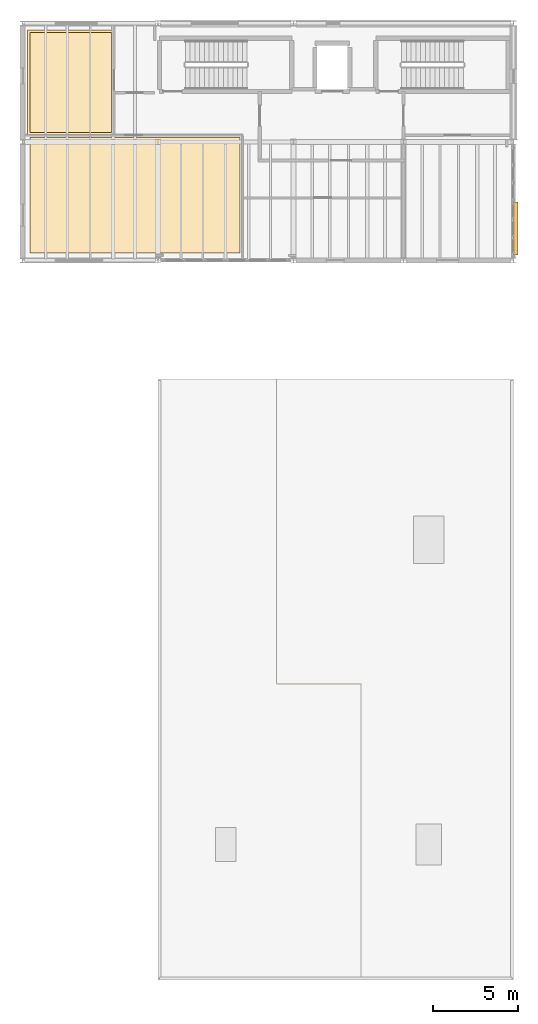
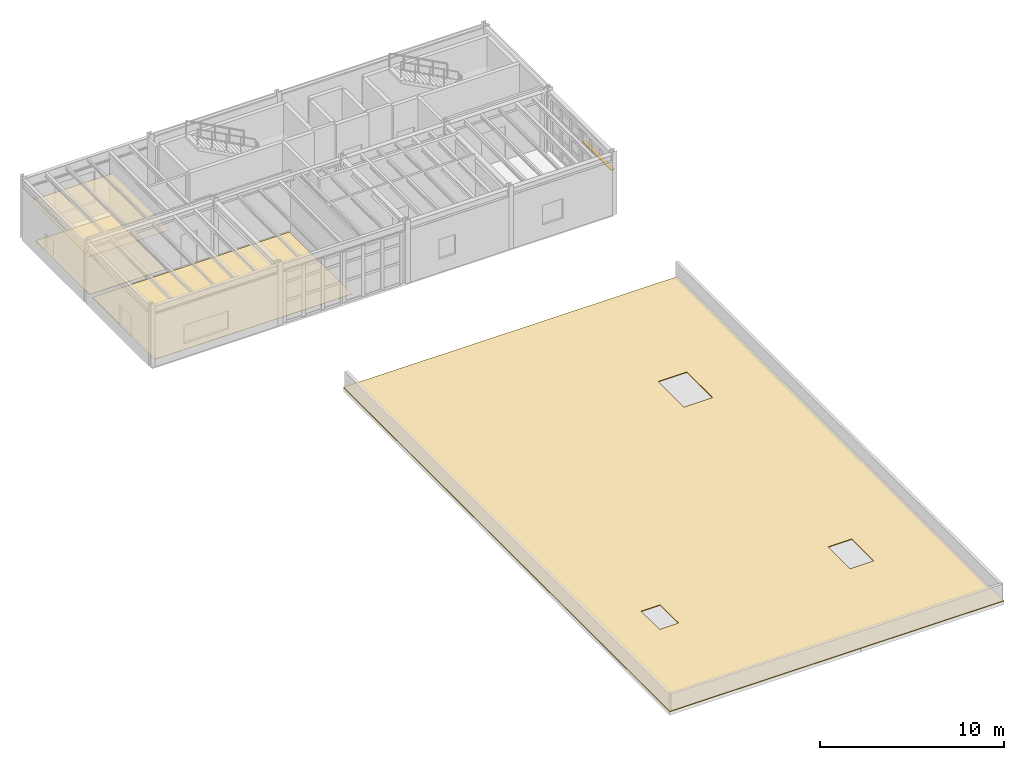
# One storey, part 10 of 11: 4 coverings, 1 shading device.
"""IFC4 building model written with IfcOpenShell, lengths in metres."""

from ifc_helpers import new_model, si_unit, direction, frame, origin, origin_2d, place, context, subcontext, project, spatial, polyline, rectangle, outline, extrude, material, layer, layer_set, type_object, element, save


model = new_model("IFC4")

# Units and contexts
model_context = context("Model", 3, precision=1e-05, world=origin(), true_north=direction((0.0, 1.0)))
body_context = subcontext(model_context, "Body", "Model", "MODEL_VIEW")
ifc_project = project(units=[si_unit("LENGTHUNIT", "METRE"), si_unit("AREAUNIT", "SQUARE_METRE"), si_unit("VOLUMEUNIT", "CUBIC_METRE"), si_unit("PLANEANGLEUNIT", "RADIAN"), si_unit("MASSUNIT", "GRAM", prefix="KILO"), si_unit("THERMODYNAMICTEMPERATUREUNIT", "KELVIN"), si_unit("POWERUNIT", "WATT")], contexts=[model_context])

# Site, building, storey
site_placement = place(None, origin())
site = spatial("IfcSite", under=ifc_project, at=site_placement, CompositionType="ELEMENT")
building_placement = place(site_placement, origin())
building = spatial("IfcBuilding", under=site, at=building_placement, Name="Zhenchuan Central Fire Station", CompositionType="ELEMENT")
storey_placement = place(building_placement, frame((0.0, 0.0, 18.449951171875)))
storey = spatial("IfcBuildingStorey", under=building, at=storey_placement, Name="L05", CompositionType="ELEMENT", Elevation=18.449951171875)

# Coverings
ifc_material_1 = material(Name="Gypsum plasterboard acoustic ceiling", Category="gypsum")
ifc_layer_1 = layer(ifc_material_1, 0.01806640625, Name="Gypsum plasterboard acoustic ceiling", Category="gypsum")
ifc_layer_set_1 = layer_set([ifc_layer_1], Name="Gypsum plasterboard acoustic ceiling")
covering_type_1 = type_object("IfcCoveringType", Name="COV-CEIL-GYP", PredefinedType="CEILING", material=ifc_layer_set_1)
covering_1_placement = place(storey_placement, frame((0.0, 0.0, 2.650146484375)))
element("IfcCovering", 1, at=covering_1_placement, inside=storey, type_object=covering_type_1, Name="Drill Instructor Briefing Room Acoustic Ceiling", PredefinedType="CEILING", context=body_context, shape_type="SweptSolid", body=[
    extrude(outline(polyline([(137.39990234375, 49.89990234375), (137.39990234375, 56.10009765625), (132.300048828125, 56.10009765625), (132.300048828125, 49.89990234375), (137.39990234375, 49.89990234375)])), origin(), (0.0, 0.0, 1.0), 0.017822265625),
])
ifc_material_2 = material(Name="Heavy-duty slip-resistant ceramic tile flooring")
ifc_layer_2 = layer(ifc_material_2, 0.014892578125, Name="Heavy-duty slip-resistant ceramic tile flooring")
ifc_layer_set_2 = layer_set([ifc_layer_2], Name="Heavy-duty slip-resistant ceramic tile flooring")
covering_type_2 = type_object("IfcCoveringType", Name="COV-FLR-RES", PredefinedType="FLOORING", material=ifc_layer_set_2)
covering_2_placement = place(storey_placement, origin())
element("IfcCovering", 2, at=covering_2_placement, inside=storey, type_object=covering_type_2, Name="Rope Rescue Training Chamber Ceramic Tile Flooring", PredefinedType="FLOORING", context=body_context, shape_type="SweptSolid", body=[
    extrude(outline(polyline([(132.449951171875, 42.949951171875), (144.85009765625, 42.949951171875), (144.85009765625, 49.75), (132.449951171875, 49.75), (132.449951171875, 42.949951171875)])), origin(), (0.0, 0.0, 1.0), 0.01513671875),
])
covering_3_placement = place(storey_placement, origin())
element("IfcCovering", 3, at=covering_3_placement, inside=storey, type_object=covering_type_2, Name="Drill Instructor Briefing Room Ceramic Tile Flooring", PredefinedType="FLOORING", context=body_context, shape_type="SweptSolid", body=[
    extrude(outline(polyline([(132.449951171875, 50.050048828125), (137.25, 50.050048828125), (137.25, 55.949951171875), (132.449951171875, 55.949951171875), (132.449951171875, 50.050048828125)])), origin(), (0.0, 0.0, 1.0), 0.01513671875),
])
ifc_material_3 = material(Name="Standing-seam zinc-aluminium roofing", Category="aluminium")
ifc_layer_3 = layer(ifc_material_3, 0.044921875, Name="Standing-seam zinc-aluminium roofing", Category="aluminium")
ifc_layer_set_3 = layer_set([ifc_layer_3], Name="Standing-seam zinc-aluminium roofing")
covering_type_3 = type_object("IfcCoveringType", Name="COV-ROOF", PredefinedType="ROOFING", material=ifc_layer_set_3)
covering_4_placement = place(storey_placement, origin())
element("IfcCovering", 4, at=covering_4_placement, inside=storey, type_object=covering_type_3, Name="Headquarters Wing Roof Membrane", PredefinedType="ROOFING", context=body_context, shape_type="SweptSolid", body=[
    extrude(outline(polyline([(140.0, 0.0), (161.0, 0.0), (161.0, 35.5), (140.0, 35.5), (140.0, 0.0)]), holes=[polyline([(143.39990234375, 7.0), (144.60009765625, 7.0), (144.60009765625, 9.0), (143.39990234375, 9.0), (143.39990234375, 7.0)]), polyline([(155.25, 6.800048828125), (156.75, 6.800048828125), (156.75, 9.199951171875), (155.25, 9.199951171875), (155.25, 6.800048828125)]), polyline([(155.10009765625, 24.60009765625), (156.89990234375, 24.60009765625), (156.89990234375, 27.39990234375), (155.10009765625, 27.39990234375), (155.10009765625, 24.60009765625)])]), origin(), (0.0, 0.0, 1.0), 0.045166015625),
])

# Shading device
ifc_material_4 = material(Name="Anodised aluminium EN AW-6063", Category="aluminium")
ifc_layer_4 = layer(ifc_material_4, 0.0400390625, Name="Anodised aluminium EN AW-6063", Category="aluminium")
ifc_layer_set_4 = layer_set([ifc_layer_4], Name="Anodised aluminium EN AW-6063")
shading_device_type = type_object("IfcShadingDeviceType", Name="SHD-ALU-FIN", PredefinedType="JALOUSIE", material=ifc_layer_set_4)
shading_device_placement = place(storey_placement, frame((161.1435546875, 44.381103515625, 2.629638671875), z_axis=(0.0, 0.0, 1.0), x_axis=(0.0, 1.0, 0.0)))
element("IfcShadingDevice", 5, at=shading_device_placement, inside=storey, type_object=shading_device_type, Name="Perforated Aluminium Sun-Shading Louvre 020", PredefinedType="JALOUSIE", context=body_context, shape_type="SweptSolid", body=[
    extrude(rectangle(XDim=3.1220703125, YDim=0.219970703125, at=origin_2d()), origin(), (0.0, 0.0, 1.0), 0.044921875),
])

save(model, "model.ifc")
